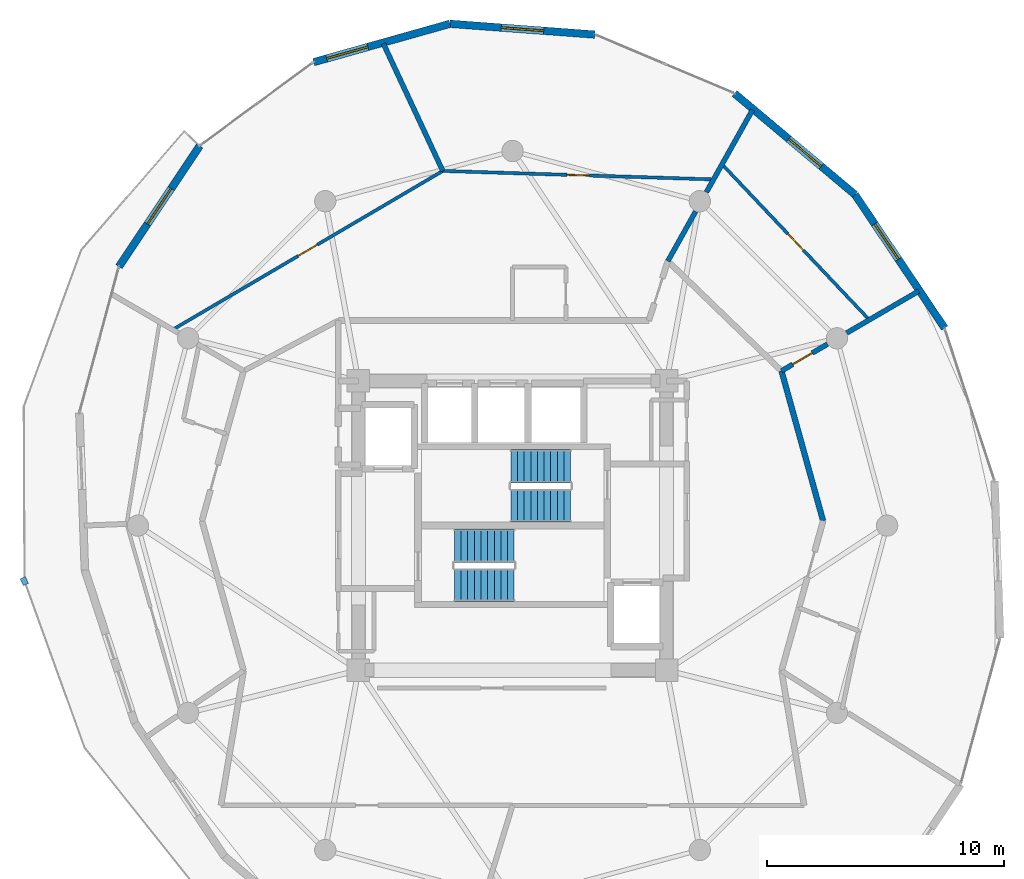
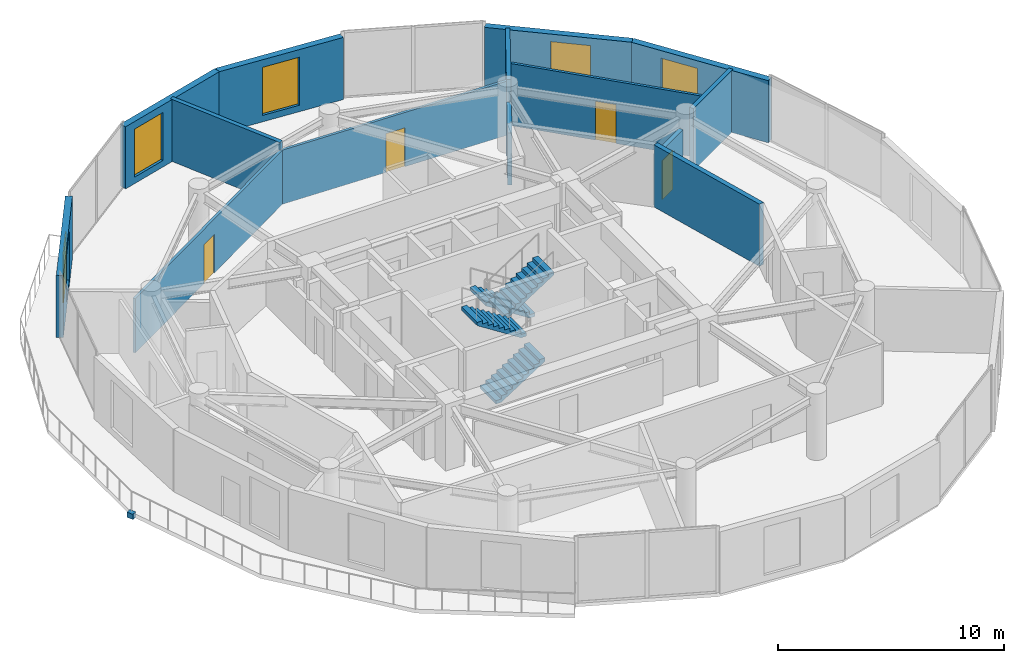
# One storey, part 16 of 18: 14 walls, 5 windows, 4 doors, 4 stair flights, 1 discrete accessory, 9 openings, 2 elements without a shape of their own.
"""IFC4 building model written with IfcOpenShell, lengths in metres."""

from ifc_helpers import new_model, si_unit, direction, frame, frame_2d, origin, origin_2d, place, context, subcontext, project, spatial, polyline, rectangle, outline, extrude, material, layer, layer_set, type_object, element, fill, aggregate, save


model = new_model("IFC4")

# Units and contexts
model_context = context("Model", 3, precision=1e-05, world=origin(), true_north=direction((0.0, 1.0)))
body_context = subcontext(model_context, "Body", "Model", "MODEL_VIEW")
ifc_project = project(units=[si_unit("LENGTHUNIT", "METRE"), si_unit("AREAUNIT", "SQUARE_METRE"), si_unit("VOLUMEUNIT", "CUBIC_METRE"), si_unit("PLANEANGLEUNIT", "RADIAN"), si_unit("MASSUNIT", "GRAM", prefix="KILO")], contexts=[model_context])

# Site, building, storey
site_placement = place(None, origin())
site = spatial("IfcSite", under=ifc_project, at=site_placement, CompositionType="ELEMENT")
building_placement = place(site_placement, origin())
building = spatial("IfcBuilding", under=site, at=building_placement, Name="Solvirekh Grand Hotel", CompositionType="ELEMENT")
storey_placement = place(building_placement, frame((0.0, 0.0, 202.0)))
storey = spatial("IfcBuildingStorey", under=building, at=storey_placement, Name="L52", CompositionType="ELEMENT", Elevation=202.0)

# Wall, opening, window
ifc_material_1 = material(Name="Precast concrete C45/55", Category="concrete")
ifc_layer_1 = layer(ifc_material_1, 0.320068359375)
ifc_layer_set_1 = layer_set([ifc_layer_1], Name="Precast concrete C45/55")
wall_type_1 = type_object("IfcWallType", Name="ExtLobbyWall_RC320", PredefinedType="SOLIDWALL", material=ifc_layer_set_1)
wall_1_placement = place(storey_placement, frame((14.445068359375, 13.9619140625, 0.0), z_axis=(0.0, 0.0, 1.0), x_axis=(0.557429227347, -0.830224461516, 0.0)))
wall_1 = element("IfcWall", 1, at=wall_1_placement, inside=storey, type_object=wall_type_1, Name="L52 exterior structural wall chord 6", PredefinedType="SOLIDWALL", context=body_context, shape_type="SweptSolid", body=[
    extrude(rectangle(XDim=6.78466796875, YDim=0.320068359375, at=frame_2d((3.392333984375, 0.0))), origin(), (0.0, 0.0, 1.0), 3.360107421875),
])
opening_1_placement = place(wall_1_placement, frame((1.489013671875, 0.0, 0.35009765625)))
opening_1 = element("IfcOpeningElement", 2, at=opening_1_placement, cuts=wall_1, Name="Opening W02", PredefinedType="OPENING", context=body_context, shape_type="SweptSolid", body=[
    extrude(rectangle(XDim=1.800048828125, YDim=2.60009765625, at=frame_2d((0.89990234375, 1.300048828125))), frame((0.0, 0.169921875, 0.0), z_axis=(0.0, -1.0, 0.0), x_axis=(1.0, 0.0, 0.0)), (0.0, 0.0, 1.0), 0.340087890625),
])
ifc_material_2 = material(Name="Low-E Tinted Bronze Laminated Glass", Category="aluminium")
window_type = type_object("IfcWindowType", Name="Win_LobbyExt_1800X2600", PartitioningType="SINGLE_PANEL", PredefinedType="WINDOW", material=ifc_material_2)
window_1_placement = place(opening_1_placement, origin())
window_1 = element("IfcWindow", 3, at=window_1_placement, inside=storey, type_object=window_type, Name="L52 panoramic bronze-framed window 6", OverallHeight=2.60009765625, OverallWidth=1.800048828125, PartitioningType="SINGLE_PANEL", PredefinedType="WINDOW", context=body_context, shape_type="SweptSolid", body=[
    extrude(rectangle(XDim=1.800048828125, YDim=2.60009765625, at=frame_2d((0.89990234375, 1.300048828125))), frame((0.0, 0.030029296875, 0.0), z_axis=(0.0, -1.0, 0.0), x_axis=(1.0, 0.0, 0.0)), (0.0, 0.0, 1.0), 0.06005859375),
])
fill(opening_1, window_1)

wall_2_placement = place(storey_placement, frame((9.361083984375, 18.22900390625, 0.0), z_axis=(0.0, 0.0, 1.0), x_axis=(0.765961316102, -0.642886663601, 0.0)))
wall_2 = element("IfcWall", 4, at=wall_2_placement, inside=storey, type_object=wall_type_1, Name="L52 exterior structural wall chord 7", PredefinedType="SOLIDWALL", context=body_context, shape_type="SweptSolid", body=[
    extrude(rectangle(XDim=6.637451171875, YDim=0.320068359375, at=frame_2d((3.31884765625, 0.0))), origin(), (0.0, 0.0, 1.0), 3.360107421875),
])
opening_2_placement = place(wall_2_placement, frame((2.98388671875, 0.0, 0.35009765625)))
opening_2 = element("IfcOpeningElement", 5, at=opening_2_placement, cuts=wall_2, Name="Opening W02", PredefinedType="OPENING", context=body_context, shape_type="SweptSolid", body=[
    extrude(rectangle(XDim=1.800048828125, YDim=2.60009765625, at=frame_2d((0.89990234375, 1.300048828125))), frame((0.0, 0.169921875, 0.0), z_axis=(0.0, -1.0, 0.0), x_axis=(1.0, 0.0, 0.0)), (0.0, 0.0, 1.0), 0.340087890625),
])
window_2_placement = place(opening_2_placement, origin())
window_2 = element("IfcWindow", 6, at=window_2_placement, inside=storey, type_object=window_type, Name="L52 panoramic bronze-framed window 7", OverallHeight=2.60009765625, OverallWidth=1.800048828125, PartitioningType="SINGLE_PANEL", PredefinedType="WINDOW", context=body_context, shape_type="SweptSolid", body=[
    extrude(rectangle(XDim=1.800048828125, YDim=2.60009765625, at=frame_2d((0.89990234375, 1.300048828125))), frame((0.0, 0.030029296875, 0.0), z_axis=(0.0, -1.0, 0.0), x_axis=(1.0, 0.0, 0.0)), (0.0, 0.0, 1.0), 0.06005859375),
])
fill(opening_2, window_2)

wall_3_placement = place(storey_placement, frame((-2.64111328125, 21.166015625, 0.0), z_axis=(0.0, 0.0, 1.0), x_axis=(0.997242494029, -0.074211913481, 0.0)))
wall_3 = element("IfcWall", 7, at=wall_3_placement, inside=storey, type_object=wall_type_1, Name="L52 exterior structural wall chord 9", PredefinedType="SOLIDWALL", context=body_context, shape_type="SweptSolid", body=[
    extrude(rectangle(XDim=6.132080078125, YDim=0.320068359375, at=frame_2d((3.06591796875, 0.0))), origin(), (0.0, 0.0, 1.0), 3.360107421875),
])
opening_3_placement = place(wall_3_placement, frame((2.166015625, 0.0, 0.35009765625)))
opening_3 = element("IfcOpeningElement", 8, at=opening_3_placement, cuts=wall_3, Name="Opening W02", PredefinedType="OPENING", context=body_context, shape_type="SweptSolid", body=[
    extrude(rectangle(XDim=1.800048828125, YDim=2.60009765625, at=frame_2d((0.89990234375, 1.300048828125))), frame((0.0, 0.169921875, 0.0), z_axis=(0.0, -1.0, 0.0), x_axis=(1.0, 0.0, 0.0)), (0.0, 0.0, 1.0), 0.340087890625),
])
window_3_placement = place(opening_3_placement, origin())
window_3 = element("IfcWindow", 9, at=window_3_placement, inside=storey, type_object=window_type, Name="L52 panoramic bronze-framed window 9", OverallHeight=2.60009765625, OverallWidth=1.800048828125, PartitioningType="SINGLE_PANEL", PredefinedType="WINDOW", context=body_context, shape_type="SweptSolid", body=[
    extrude(rectangle(XDim=1.800048828125, YDim=2.60009765625, at=frame_2d((0.89990234375, 1.300048828125))), frame((0.0, 0.030029296875, 0.0), z_axis=(0.0, -1.0, 0.0), x_axis=(1.0, 0.0, 0.0)), (0.0, 0.0, 1.0), 0.06005859375),
])
fill(opening_3, window_3)

wall_4_placement = place(storey_placement, frame((-8.385009765625, 19.549072265625, 0.0), z_axis=(0.0, 0.0, 1.0), x_axis=(0.962586598212, 0.270974244058, 0.0)))
wall_4 = element("IfcWall", 10, at=wall_4_placement, inside=storey, type_object=wall_type_1, Name="L52 exterior structural wall chord 10", PredefinedType="SOLIDWALL", context=body_context, shape_type="SweptSolid", body=[
    extrude(rectangle(XDim=5.967041015625, YDim=0.320068359375, at=frame_2d((2.9833984375, 0.0))), origin(), (0.0, 0.0, 1.0), 3.360107421875),
])
opening_4_placement = place(wall_4_placement, frame((0.569091796875, 0.0, 0.35009765625)))
opening_4 = element("IfcOpeningElement", 11, at=opening_4_placement, cuts=wall_4, Name="Opening W02", PredefinedType="OPENING", context=body_context, shape_type="SweptSolid", body=[
    extrude(rectangle(XDim=1.800048828125, YDim=2.60009765625, at=frame_2d((0.89990234375, 1.300048828125))), frame((0.0, 0.169921875, 0.0), z_axis=(0.0, -1.0, 0.0), x_axis=(1.0, 0.0, 0.0)), (0.0, 0.0, 1.0), 0.340087890625),
])
window_4_placement = place(opening_4_placement, origin())
window_4 = element("IfcWindow", 12, at=window_4_placement, inside=storey, type_object=window_type, Name="L52 panoramic bronze-framed window 10", OverallHeight=2.60009765625, OverallWidth=1.800048828125, PartitioningType="SINGLE_PANEL", PredefinedType="WINDOW", context=body_context, shape_type="SweptSolid", body=[
    extrude(rectangle(XDim=1.800048828125, YDim=2.60009765625, at=frame_2d((0.89990234375, 1.300048828125))), frame((0.0, 0.030029296875, 0.0), z_axis=(0.0, -1.0, 0.0), x_axis=(1.0, 0.0, 0.0)), (0.0, 0.0, 1.0), 0.06005859375),
])
fill(opening_4, window_4)

wall_5_placement = place(storey_placement, frame((-16.60107421875, 10.919921875, 0.0), z_axis=(0.0, 0.0, 1.0), x_axis=(0.555517753524, 0.831504675585, 0.0)))
wall_5 = element("IfcWall", 13, at=wall_5_placement, inside=storey, type_object=wall_type_1, Name="L52 exterior structural wall chord 12", PredefinedType="SOLIDWALL", context=body_context, shape_type="SweptSolid", body=[
    extrude(rectangle(XDim=6.13134765625, YDim=0.320068359375, at=frame_2d((3.065673828125, 0.0))), origin(), (0.0, 0.0, 1.0), 3.360107421875),
])
opening_5_placement = place(wall_5_placement, frame((2.166015625, 0.0, 0.35009765625)))
opening_5 = element("IfcOpeningElement", 14, at=opening_5_placement, cuts=wall_5, Name="Opening W02", PredefinedType="OPENING", context=body_context, shape_type="SweptSolid", body=[
    extrude(rectangle(XDim=1.800048828125, YDim=2.60009765625, at=frame_2d((0.89990234375, 1.300048828125))), frame((0.0, 0.169921875, 0.0), z_axis=(0.0, -1.0, 0.0), x_axis=(1.0, 0.0, 0.0)), (0.0, 0.0, 1.0), 0.340087890625),
])
window_5_placement = place(opening_5_placement, origin())
window_5 = element("IfcWindow", 15, at=window_5_placement, inside=storey, type_object=window_type, Name="L52 panoramic bronze-framed window 12", OverallHeight=2.60009765625, OverallWidth=1.800048828125, PartitioningType="SINGLE_PANEL", PredefinedType="WINDOW", context=body_context, shape_type="SweptSolid", body=[
    extrude(rectangle(XDim=1.800048828125, YDim=2.60009765625, at=frame_2d((0.89990234375, 1.300048828125))), frame((0.0, 0.030029296875, 0.0), z_axis=(0.0, -1.0, 0.0), x_axis=(1.0, 0.0, 0.0)), (0.0, 0.0, 1.0), 0.06005859375),
])
fill(opening_5, window_5)

# Wall
ifc_material_3 = material(Name="Acoustic Gypsum Partition Assembly")
ifc_layer_2 = layer(ifc_material_3, 0.239990234375)
ifc_layer_set_2 = layer_set([ifc_layer_2], Name="Acoustic Gypsum Partition Assembly")
wall_type_2 = type_object("IfcWallType", Name="Part_Corridor_240", PredefinedType="PARTITIONING", material=ifc_layer_set_2)
wall_6_placement = place(storey_placement, frame((13.10009765625, 0.199951171875, 0.0), z_axis=(0.0, 0.0, 1.0), x_axis=(-0.26738871748, 0.963588747218, 0.0)))
element("IfcWall", 16, at=wall_6_placement, inside=storey, type_object=wall_type_2, Name="L52 Diplomatic Suite 5403 Living Room corridor wall 1", PredefinedType="PARTITIONING", context=body_context, shape_type="SweptSolid", body=[
    extrude(rectangle(XDim=6.56396484375, YDim=0.239990234375, at=frame_2d((3.281982421875, 0.0))), origin(), (0.0, 0.0, 1.0), 3.360107421875),
])

# Wall, opening, door
ifc_layer_3 = layer(ifc_material_3, 0.135009765625)
ifc_layer_set_3 = layer_set([ifc_layer_3], Name="Acoustic Gypsum Partition Assembly")
wall_type_3 = type_object("IfcWallType", Name="Part_RoomInt_135", PredefinedType="PARTITIONING", material=ifc_layer_set_3)
wall_7_placement = place(storey_placement, frame((-2.94189453125, 14.958984375, 0.0), z_axis=(0.0, 0.0, 1.0), x_axis=(0.999509404504, -0.031320126261, 0.0)))
wall_7 = element("IfcWall", 17, at=wall_7_placement, inside=storey, type_object=wall_type_3, Name="L52 Panorama Suite 5401 North Sitting Room bedroom screen wall", PredefinedType="PARTITIONING", context=body_context, shape_type="SweptSolid", body=[
    extrude(rectangle(XDim=11.427490234375, YDim=0.135009765625, at=frame_2d((5.7138671875, 0.0))), origin(), (0.0, 0.0, 1.0), 2.928955078125),
])
opening_6_placement = place(wall_7_placement, frame((5.239013671875, 0.0, 0.0)))
opening_6 = element("IfcOpeningElement", 18, at=opening_6_placement, cuts=wall_7, Name="Opening D10", PredefinedType="OPENING", context=body_context, shape_type="SweptSolid", body=[
    extrude(rectangle(XDim=0.949951171875, YDim=2.10009765625, at=frame_2d((0.47509765625, 1.050048828125))), frame((0.0, 0.07763671875, 0.0), z_axis=(0.0, -1.0, 0.0), x_axis=(1.0, 0.0, 0.0)), (0.0, 0.0, 1.0), 0.155029296875),
])
ifc_material_4 = material(Name="Anodized Bronze Aluminium 6063-T6", Category="aluminium")
door_type = type_object("IfcDoorType", Name="Door_RoomInt_950X2100", OperationType="NOTDEFINED", PredefinedType="DOOR", material=ifc_material_4)
door_1_placement = place(opening_6_placement, origin())
door_1 = element("IfcDoor", 19, at=door_1_placement, inside=storey, type_object=door_type, Name="L52 Panorama Suite 5401 North Sitting Room master bedroom door", OperationType="SINGLE_SWING_RIGHT", OverallHeight=2.10009765625, OverallWidth=0.949951171875, PredefinedType="DOOR", context=body_context, shape_type="SweptSolid", body=[
    extrude(rectangle(XDim=0.949951171875, YDim=2.10009765625, at=frame_2d((0.47509765625, 1.050048828125))), frame((0.0, 0.02490234375, 0.0), z_axis=(0.0, -1.0, 0.0), x_axis=(1.0, 0.0, 0.0)), (0.0, 0.0, 1.0), 0.050048828125),
])
fill(opening_6, door_1)

wall_8_placement = place(storey_placement, frame((-14.3330078125, 8.263916015625, 0.0), z_axis=(0.0, 0.0, 1.0), x_axis=(0.862118932007, 0.506705976948, 0.0)))
wall_8 = element("IfcWall", 20, at=wall_8_placement, inside=storey, type_object=wall_type_3, Name="L52 Panorama Suite 5401 Observatory Library bedroom screen wall", PredefinedType="PARTITIONING", context=body_context, shape_type="SweptSolid", body=[
    extrude(rectangle(XDim=13.212890625, YDim=0.135009765625, at=frame_2d((6.6064453125, 0.0))), origin(), (0.0, 0.0, 1.0), 2.928955078125),
])
opening_7_placement = place(wall_8_placement, frame((6.131103515625, 0.0, 0.0)))
opening_7 = element("IfcOpeningElement", 21, at=opening_7_placement, cuts=wall_8, Name="Opening D10", PredefinedType="OPENING", context=body_context, shape_type="SweptSolid", body=[
    extrude(rectangle(XDim=0.949951171875, YDim=2.10009765625, at=frame_2d((0.47509765625, 1.050048828125))), frame((0.0, 0.07763671875, 0.0), z_axis=(0.0, -1.0, 0.0), x_axis=(1.0, 0.0, 0.0)), (0.0, 0.0, 1.0), 0.155029296875),
])
door_2_placement = place(opening_7_placement, origin())
door_2 = element("IfcDoor", 22, at=door_2_placement, inside=storey, type_object=door_type, Name="L52 Panorama Suite 5401 Observatory Library master bedroom door", OperationType="SINGLE_SWING_LEFT", OverallHeight=2.10009765625, OverallWidth=0.949951171875, PredefinedType="DOOR", context=body_context, shape_type="SweptSolid", body=[
    extrude(rectangle(XDim=0.949951171875, YDim=2.10009765625, at=frame_2d((0.47509765625, 1.050048828125))), frame((0.0, 0.02490234375, 0.0), z_axis=(0.0, -1.0, 0.0), x_axis=(1.0, 0.0, 0.0)), (0.0, 0.0, 1.0), 0.050048828125),
])
fill(opening_7, door_2)

wall_9_placement = place(storey_placement, frame((15.048095703125, 8.678955078125, 0.0), z_axis=(0.0, 0.0, 1.0), x_axis=(-0.687476978128, 0.726206172202, 0.0)))
wall_9 = element("IfcWall", 23, at=wall_9_placement, inside=storey, type_object=wall_type_3, Name="L52 Diplomatic Suite 5403 Suite Foyer bedroom screen wall", PredefinedType="PARTITIONING", context=body_context, shape_type="SweptSolid", body=[
    extrude(rectangle(XDim=9.033447265625, YDim=0.135009765625, at=frame_2d((4.5166015625, 0.0))), origin(), (0.0, 0.0, 1.0), 3.360107421875),
])
opening_8_placement = place(wall_9_placement, frame((4.0419921875, 0.0, 0.0)))
opening_8 = element("IfcOpeningElement", 24, at=opening_8_placement, cuts=wall_9, Name="Opening D10", PredefinedType="OPENING", context=body_context, shape_type="SweptSolid", body=[
    extrude(rectangle(XDim=0.949951171875, YDim=2.10009765625, at=frame_2d((0.47509765625, 1.050048828125))), frame((0.0, 0.07763671875, 0.0), z_axis=(0.0, -1.0, 0.0), x_axis=(1.0, 0.0, 0.0)), (0.0, 0.0, 1.0), 0.155029296875),
])
door_3_placement = place(opening_8_placement, origin())
door_3 = element("IfcDoor", 25, at=door_3_placement, inside=storey, type_object=door_type, Name="L52 Diplomatic Suite 5403 Suite Foyer master bedroom door", OperationType="SINGLE_SWING_LEFT", OverallHeight=2.10009765625, OverallWidth=0.949951171875, PredefinedType="DOOR", context=body_context, shape_type="SweptSolid", body=[
    extrude(rectangle(XDim=0.949951171875, YDim=2.10009765625, at=frame_2d((0.47509765625, 1.050048828125))), frame((0.0, 0.02490234375, 0.0), z_axis=(0.0, -1.0, 0.0), x_axis=(1.0, 0.0, 0.0)), (0.0, 0.0, 1.0), 0.050048828125),
])
fill(opening_8, door_3)

ifc_layer_4 = layer(ifc_material_3, 0.2099609375)
ifc_layer_set_4 = layer_set([ifc_layer_4], Name="Acoustic Gypsum Partition Assembly")
wall_type_4 = type_object("IfcWallType", Name="Part_SuiteDemise_210", PredefinedType="PARTITIONING", material=ifc_layer_set_4)
wall_10_placement = place(storey_placement, frame((11.344970703125, 6.52490234375, 0.0), z_axis=(0.0, 0.0, 1.0), x_axis=(0.864528085785, 0.502584509201, 0.0)))
wall_10 = element("IfcWall", 26, at=wall_10_placement, inside=storey, type_object=wall_type_4, Name="L52 suite radial wall 2 (A)", PredefinedType="PARTITIONING", context=body_context, shape_type="SweptSolid", body=[
    extrude(rectangle(XDim=2.242919921875, YDim=0.2099609375, at=frame_2d((1.12158203125, 0.0))), origin(), (0.0, 0.0, 1.0), 2.801025390625),
])
opening_9_placement = place(wall_10_placement, frame((0.550048828125, 0.0, 0.0)))
opening_9 = element("IfcOpeningElement", 27, at=opening_9_placement, cuts=wall_10, Name="Opening D10", PredefinedType="OPENING", context=body_context, shape_type="SweptSolid", body=[
    extrude(rectangle(XDim=0.949951171875, YDim=2.10009765625, at=frame_2d((0.47509765625, 1.050048828125))), frame((0.0, 0.114990234375, 0.0), z_axis=(0.0, -1.0, 0.0), x_axis=(1.0, 0.0, 0.0)), (0.0, 0.0, 1.0), 0.22998046875),
])
door_4_placement = place(opening_9_placement, origin())
door_4 = element("IfcDoor", 28, at=door_4_placement, inside=storey, type_object=door_type, Name="L52 Diplomatic Suite 5403 Suite Foyer suite connecting door", OperationType="SINGLE_SWING_RIGHT", OverallHeight=2.10009765625, OverallWidth=0.949951171875, PredefinedType="DOOR", context=body_context, shape_type="SweptSolid", body=[
    extrude(rectangle(XDim=0.949951171875, YDim=2.10009765625, at=frame_2d((0.47509765625, 1.050048828125))), frame((0.0, 0.02490234375, 0.0), z_axis=(0.0, -1.0, 0.0), x_axis=(1.0, 0.0, 0.0)), (0.0, 0.0, 1.0), 0.050048828125),
])
fill(opening_9, door_4)

# Walls
wall_11_placement = place(storey_placement, frame((14.095947265625, 8.125, 0.0), z_axis=(0.0, 0.0, 1.0), x_axis=(0.864474159334, 0.502677260121, 0.0)))
element("IfcWall", 29, at=wall_11_placement, inside=storey, type_object=wall_type_4, Name="L52 suite radial wall 2 (B)", PredefinedType="PARTITIONING", context=body_context, shape_type="SweptSolid", body=[
    extrude(rectangle(XDim=3.510986328125, YDim=0.2099609375, at=frame_2d((1.75537109375, 0.0))), origin(), (0.0, 0.0, 1.0), 3.360107421875),
])
wall_12_placement = place(storey_placement, frame((6.550048828125, 11.155029296875, 0.0), z_axis=(0.0, 0.0, 1.0), x_axis=(0.488535184748, 0.872544195593, 0.0)))
element("IfcWall", 30, at=wall_12_placement, inside=storey, type_object=wall_type_4, Name="L52 suite radial wall 3 (A)", PredefinedType="PARTITIONING", context=body_context, shape_type="SweptSolid", body=[
    extrude(rectangle(XDim=2.398681640625, YDim=0.2099609375, at=frame_2d((1.19921875, 0.0))), origin(), (0.0, 0.0, 1.0), 2.801025390625),
])
wall_13_placement = place(storey_placement, frame((8.177978515625, 14.06201171875, 0.0), z_axis=(0.0, 0.0, 1.0), x_axis=(0.488788123952, 0.87240252744, 0.0)))
element("IfcWall", 31, at=wall_13_placement, inside=storey, type_object=wall_type_4, Name="L52 suite radial wall 3 (B)", PredefinedType="PARTITIONING", context=body_context, shape_type="SweptSolid", body=[
    extrude(rectangle(XDim=3.9833984375, YDim=0.2099609375, at=frame_2d((1.99169921875, 0.0))), origin(), (0.0, 0.0, 1.0), 3.360107421875),
])
wall_14_placement = place(storey_placement, frame((-2.94189453125, 14.958984375, 0.0), z_axis=(0.0, 0.0, 1.0), x_axis=(-0.422711938281, 0.906264099054, 0.0)))
element("IfcWall", 32, at=wall_14_placement, inside=storey, type_object=wall_type_4, Name="L52 Panorama Suite 5401 North Sitting Room dividing partition 1", PredefinedType="PARTITIONING", context=body_context, shape_type="SweptSolid", body=[
    extrude(rectangle(XDim=5.930908203125, YDim=0.2099609375, at=frame_2d((2.96533203125, 0.0))), origin(), (0.0, 0.0, 1.0), 3.360107421875),
])

# Stair, stair flights
ifc_material_5 = material(Name="Concrete C40/50", Category="concrete")
stair_type = type_object("IfcStairType", Name="Stair_Core_1450", PredefinedType="HALF_TURN_STAIR", material=ifc_material_5)
stair_1_placement = place(storey_placement, origin())
stair_1 = element("IfcStair", 33, at=stair_1_placement, inside=storey, type_object=stair_type, Name="L52 Enclosed exit stair ST-1", PredefinedType="HALF_TURN_STAIR")
stair_flight_type = type_object("IfcStairFlightType", Name="Flight_Core_1450", PredefinedType="STRAIGHT", material=ifc_material_5)
stair_flight_1_placement = place(storey_placement, frame((-2.449951171875, -2.5, 0.0), z_axis=(0.0, 0.0, 1.0), x_axis=(1.0, 0.0, 0.0)))
stair_flight_1 = element("IfcStairFlight", 34, at=stair_flight_1_placement, type_object=stair_flight_type, Name="ST-1 flight 1", NumberOfRisers=10, NumberOfTreads=9, PredefinedType="STRAIGHT", RiserHeight=0.18, TreadLength=0.28, context=body_context, shape_type="SweptSolid", body=[
    extrude(outline(polyline([(0.0, 0.0), (0.0, 0.179931640625), (0.280029296875, 0.179931640625), (0.280029296875, 0.360107421875), (0.56005859375, 0.360107421875), (0.56005859375, 0.5400390625), (0.840087890625, 0.5400390625), (0.840087890625, 0.719970703125), (1.1201171875, 0.719970703125), (1.1201171875, 0.89990234375), (1.39990234375, 0.89990234375), (1.39990234375, 1.080078125), (1.679931640625, 1.080078125), (1.679931640625, 1.260009765625), (1.9599609375, 1.260009765625), (1.9599609375, 1.43994140625), (2.239990234375, 1.43994140625), (2.239990234375, 1.6201171875), (2.52001953125, 1.6201171875), (2.52001953125, 1.800048828125), (2.52001953125, 1.44189453125), (0.277099609375, 0.0), (0.0, 0.0)])), frame((0.0, 0.699951171875, 0.0), z_axis=(0.0, -1.0, 0.0), x_axis=(1.0, 0.0, 0.0)), (0.0, 0.0, 1.0), 1.39990234375),
])
stair_flight_2_placement = place(storey_placement, frame((0.070068359375, -0.85009765625, 1.800048828125), z_axis=(0.0, 0.0, 1.0), x_axis=(-1.0, 0.0, 0.0)))
stair_flight_2 = element("IfcStairFlight", 35, at=stair_flight_2_placement, type_object=stair_flight_type, Name="ST-1 flight 2", NumberOfRisers=10, NumberOfTreads=9, PredefinedType="STRAIGHT", RiserHeight=0.18, TreadLength=0.28, context=body_context, shape_type="SweptSolid", body=[
    extrude(outline(polyline([(0.0, 0.0), (0.0, 0.179931640625), (0.280029296875, 0.179931640625), (0.280029296875, 0.360107421875), (0.56005859375, 0.360107421875), (0.56005859375, 0.5400390625), (0.840087890625, 0.5400390625), (0.840087890625, 0.719970703125), (1.1201171875, 0.719970703125), (1.1201171875, 0.89990234375), (1.39990234375, 0.89990234375), (1.39990234375, 1.080078125), (1.679931640625, 1.080078125), (1.679931640625, 1.260009765625), (1.9599609375, 1.260009765625), (1.9599609375, 1.43994140625), (2.239990234375, 1.43994140625), (2.239990234375, 1.6201171875), (2.52001953125, 1.6201171875), (2.52001953125, 1.800048828125), (2.52001953125, 1.44189453125), (0.277099609375, 0.0), (0.0, 0.0)])), frame((0.0, 0.699951171875, 0.0), z_axis=(0.0, -1.0, 0.0), x_axis=(1.0, 0.0, 0.0)), (0.0, 0.0, 1.0), 1.39990234375),
])
aggregate(stair_1, [stair_flight_1, stair_flight_2])

stair_2_placement = place(storey_placement, origin())
stair_2 = element("IfcStair", 36, at=stair_2_placement, inside=storey, type_object=stair_type, Name="L52 Enclosed exit stair ST-2", PredefinedType="HALF_TURN_STAIR")
stair_flight_3_placement = place(storey_placement, frame((2.449951171875, 2.5, 0.0), z_axis=(0.0, 0.0, 1.0), x_axis=(-1.0, 0.0, 0.0)))
stair_flight_3 = element("IfcStairFlight", 37, at=stair_flight_3_placement, type_object=stair_flight_type, Name="ST-2 flight 1", NumberOfRisers=10, NumberOfTreads=9, PredefinedType="STRAIGHT", RiserHeight=0.18, TreadLength=0.28, context=body_context, shape_type="SweptSolid", body=[
    extrude(outline(polyline([(0.0, 0.0), (0.0, 0.179931640625), (0.280029296875, 0.179931640625), (0.280029296875, 0.360107421875), (0.56005859375, 0.360107421875), (0.56005859375, 0.5400390625), (0.840087890625, 0.5400390625), (0.840087890625, 0.719970703125), (1.1201171875, 0.719970703125), (1.1201171875, 0.89990234375), (1.39990234375, 0.89990234375), (1.39990234375, 1.080078125), (1.679931640625, 1.080078125), (1.679931640625, 1.260009765625), (1.9599609375, 1.260009765625), (1.9599609375, 1.43994140625), (2.239990234375, 1.43994140625), (2.239990234375, 1.6201171875), (2.52001953125, 1.6201171875), (2.52001953125, 1.800048828125), (2.52001953125, 1.44189453125), (0.277099609375, 0.0), (0.0, 0.0)])), frame((0.0, 0.699951171875, 0.0), z_axis=(0.0, -1.0, 0.0), x_axis=(1.0, 0.0, 0.0)), (0.0, 0.0, 1.0), 1.39990234375),
])
stair_flight_4_placement = place(storey_placement, frame((-0.070068359375, 0.85009765625, 1.800048828125), z_axis=(0.0, 0.0, 1.0), x_axis=(1.0, 0.0, 0.0)))
stair_flight_4 = element("IfcStairFlight", 38, at=stair_flight_4_placement, type_object=stair_flight_type, Name="ST-2 flight 2", NumberOfRisers=10, NumberOfTreads=9, PredefinedType="STRAIGHT", RiserHeight=0.18, TreadLength=0.28, context=body_context, shape_type="SweptSolid", body=[
    extrude(outline(polyline([(0.0, 0.0), (0.0, 0.179931640625), (0.280029296875, 0.179931640625), (0.280029296875, 0.360107421875), (0.56005859375, 0.360107421875), (0.56005859375, 0.5400390625), (0.840087890625, 0.5400390625), (0.840087890625, 0.719970703125), (1.1201171875, 0.719970703125), (1.1201171875, 0.89990234375), (1.39990234375, 0.89990234375), (1.39990234375, 1.080078125), (1.679931640625, 1.080078125), (1.679931640625, 1.260009765625), (1.9599609375, 1.260009765625), (1.9599609375, 1.43994140625), (2.239990234375, 1.43994140625), (2.239990234375, 1.6201171875), (2.52001953125, 1.6201171875), (2.52001953125, 1.800048828125), (2.52001953125, 1.44189453125), (0.277099609375, 0.0), (0.0, 0.0)])), frame((0.0, 0.699951171875, 0.0), z_axis=(0.0, -1.0, 0.0), x_axis=(1.0, 0.0, 0.0)), (0.0, 0.0, 1.0), 1.39990234375),
])
aggregate(stair_2, [stair_flight_3, stair_flight_4])

# Discrete accessory
ifc_material_6 = material(Name="Steel S355", Category="steel")
discrete_accessory_type = type_object("IfcDiscreteAccessoryType", Name="Acc_ThermalBracket", PredefinedType="BRACKET", material=ifc_material_6)
discrete_accessory_placement = place(storey_placement, frame((-20.596923828125, -2.339111328125, -0.27978515625), z_axis=(0.0, 0.0, 1.0), x_axis=(0.438371146789, -0.898794046299, 0.0)))
element("IfcDiscreteAccessory", 39, at=discrete_accessory_placement, inside=storey, type_object=discrete_accessory_type, Name="L52 balcony thermal-break bracket", PredefinedType="BRACKET", context=body_context, shape_type="SweptSolid", body=[
    extrude(rectangle(XDim=0.320068359375, YDim=0.239990234375, at=origin_2d()), origin(), (0.0, 0.0, 1.0), 0.280029296875),
])

save(model, "model.ifc")
